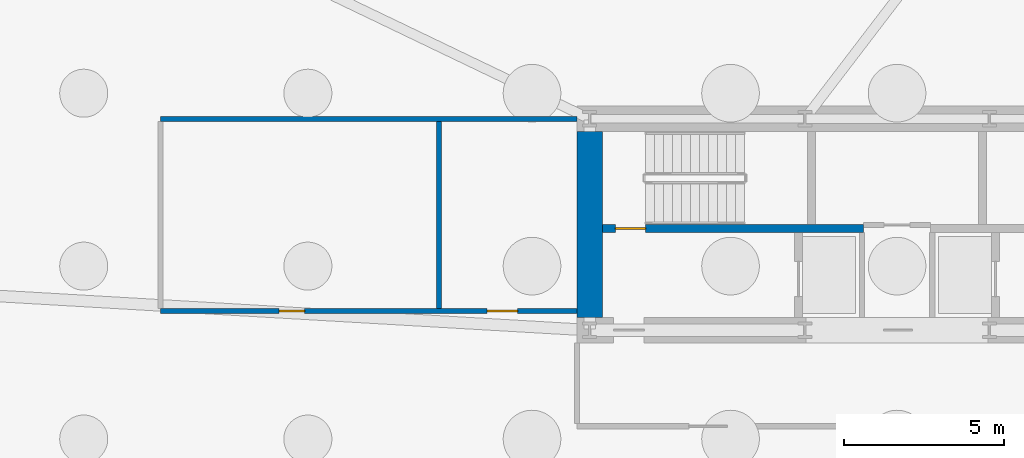
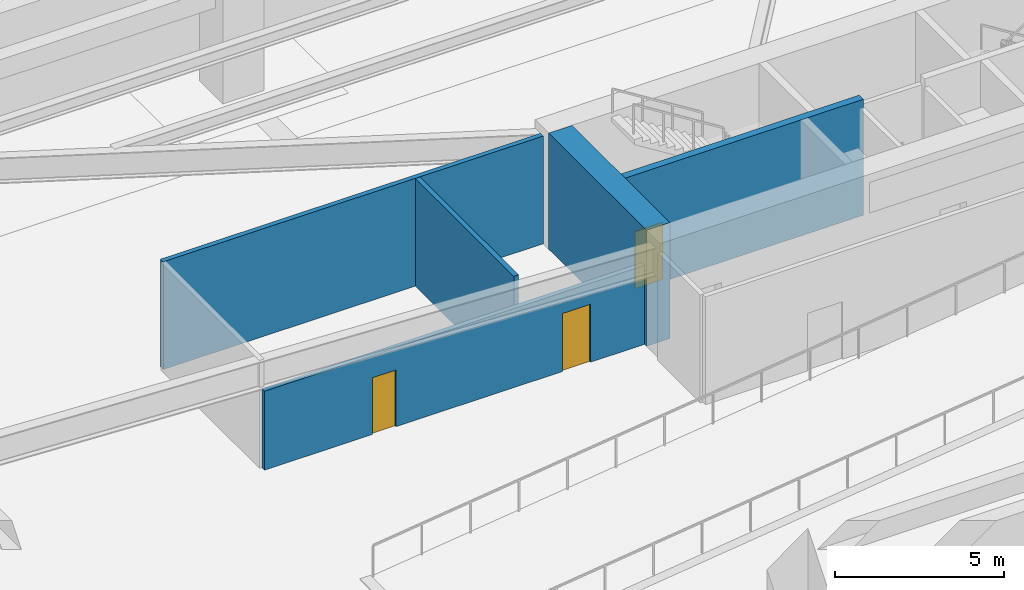
# One storey, part 3 of 8: 5 walls, 3 doors, 3 openings.
"""IFC4 building model written with IfcOpenShell, lengths in metres."""

from ifc_helpers import new_model, si_unit, direction, frame, frame_2d, origin, place, context, subcontext, project, spatial, rectangle, extrude, source, transform, mapped, material, layer, layer_set, type_object, type_shapes, element, fill, save


model = new_model("IFC4")

# Units and contexts
model_context = context("Model", 3, precision=1e-05, world=origin(), true_north=direction((0.0, 1.0)))
body_context = subcontext(model_context, "Body", "Model", "MODEL_VIEW")
ifc_project = project(units=[si_unit("LENGTHUNIT", "METRE"), si_unit("AREAUNIT", "SQUARE_METRE"), si_unit("VOLUMEUNIT", "CUBIC_METRE"), si_unit("PLANEANGLEUNIT", "RADIAN"), si_unit("MASSUNIT", "GRAM", prefix="KILO")], contexts=[model_context])

# Site, building, storey
site_placement = place(None, origin())
site = spatial("IfcSite", under=ifc_project, at=site_placement, CompositionType="ELEMENT")
building_placement = place(site_placement, origin())
building = spatial("IfcBuilding", under=site, at=building_placement, Name="Astriad Promenade Condominiums", CompositionType="ELEMENT")
storey_placement = place(building_placement, frame((0.0, 0.0, -8.39990234375)))
storey = spatial("IfcBuildingStorey", under=building, at=storey_placement, Name="B02", CompositionType="ELEMENT", Elevation=-8.39990234375)

# Wall
ifc_material_1 = material(Name="Concrete C80/95", Category="concrete")
ifc_layer_1 = layer(ifc_material_1, 0.800048828125)
ifc_layer_set_1 = layer_set([ifc_layer_1], Name="Concrete C80/95")
wall_type_1 = type_object("IfcWallType", Name="CW-SHEAR-800", PredefinedType="SHEAR", material=ifc_layer_set_1)
wall_1_placement = place(storey_placement, frame((26.39990234375, 17.802001953125, 0.0), z_axis=(0.0, 0.0, 1.0), x_axis=(0.0, 1.0, 0.0)))
element("IfcWall", 1, at=wall_1_placement, inside=storey, type_object=wall_type_1, Name="CW-CORE-W-B02", PredefinedType="SHEAR", context=body_context, shape_type="SweptSolid", body=[
    extrude(rectangle(XDim=5.7958984375, YDim=0.800048828125, at=frame_2d((2.89794921875, 0.0))), origin(), (0.0, 0.0, 1.0), 4.199951171875),
])

# Wall, opening, door
ifc_material_2 = material(Name="Concrete C50/60", Category="concrete")
ifc_layer_2 = layer(ifc_material_2, 0.25)
ifc_layer_set_2 = layer_set([ifc_layer_2], Name="Concrete C50/60")
wall_type_2 = type_object("IfcWallType", Name="WALL-CORE-INT-250", PredefinedType="SOLIDWALL", material=ifc_layer_set_2)
wall_2_placement = place(storey_placement, frame((26.802001953125, 20.574951171875, 0.0), z_axis=(0.0, 0.0, 1.0), x_axis=(1.0, 0.0, 0.0)))
wall_2 = element("IfcWall", 2, at=wall_2_placement, inside=storey, type_object=wall_type_2, Name="CW-INT-H1-B02", PredefinedType="SOLIDWALL", context=body_context, shape_type="SweptSolid", body=[
    extrude(rectangle(XDim=8.14794921875, YDim=0.25, at=frame_2d((4.073974609375, 0.0))), origin(), (0.0, 0.0, 1.0), 4.199951171875),
])
opening_1_placement = place(wall_2_placement, frame((0.39794921875, 0.0, 0.0)))
opening_1 = element("IfcOpeningElement", 3, at=opening_1_placement, cuts=wall_2, Name="Opening FD90-ST-095", PredefinedType="OPENING", context=body_context, shape_type="SweptSolid", body=[
    extrude(rectangle(XDim=0.949951171875, YDim=2.06005859375, at=frame_2d((0.47509765625, 1.030029296875))), frame((0.0, 0.135009765625, 0.0), z_axis=(0.0, -1.0, 0.0), x_axis=(1.0, 0.0, 0.0)), (0.0, 0.0, 1.0), 0.27001953125),
])
ifc_material_3 = material(Name="Fire-Rated Hollow Metal Stair Door")
door_type_1 = type_object("IfcDoorType", Name="FD90-ST-095", OperationType="NOTDEFINED", PredefinedType="DOOR", material=ifc_material_3)
shared_shape_1 = source(origin(), body_context, "Body", "SweptSolid", [
    extrude(rectangle(XDim=0.949951171875, YDim=2.06005859375, at=frame_2d((0.47509765625, 1.030029296875))), frame((0.0, 0.02490234375, 0.0), z_axis=(0.0, -1.0, 0.0), x_axis=(1.0, 0.0, 0.0)), (0.0, 0.0, 1.0), 0.050048828125),
])
type_shapes(door_type_1, [shared_shape_1])
door_1_placement = place(opening_1_placement, origin())
door_1 = element("IfcDoor", 4, at=door_1_placement, inside=storey, type_object=door_type_1, Name="D-ST1-B02", OperationType="SINGLE_SWING_LEFT", OverallHeight=2.06005859375, OverallWidth=0.949951171875, PredefinedType="DOOR", context=body_context, shape_type="MappedRepresentation", body=[
    mapped(shared_shape_1, transform((0.0, 0.0, 0.0), scale=1.0)),
])
fill(opening_1, door_1)

# Wall, openings, doors
ifc_material_4 = material(Name="Fire-Rated Gypsum Partition")
ifc_layer_3 = layer(ifc_material_4, 0.159912109375)
ifc_layer_set_3 = layer_set([ifc_layer_3], Name="Fire-Rated Gypsum Partition")
wall_type_3 = type_object("IfcWallType", Name="WALL-CORR-160", PredefinedType="PARTITIONING", material=ifc_layer_set_3)
wall_3_placement = place(storey_placement, frame((13.0, 18.0, 0.0), z_axis=(0.0, 0.0, 1.0), x_axis=(1.0, 0.0, 0.0)))
wall_3 = element("IfcWall", 5, at=wall_3_placement, inside=storey, type_object=wall_type_3, Name="PT-B02-WC-S", PredefinedType="PARTITIONING", context=body_context, shape_type="SweptSolid", body=[
    extrude(rectangle(XDim=12.998046875, YDim=0.159912109375, at=frame_2d((6.4990234375, 0.0))), origin(), (0.0, 0.0, 1.0), 2.856201171875),
])
opening_2_placement = place(wall_3_placement, frame((10.199951171875, 0.0, 0.0)))
opening_2 = element("IfcOpeningElement", 6, at=opening_2_placement, cuts=wall_3, Name="Opening D-WET-095", PredefinedType="OPENING", context=body_context, shape_type="SweptSolid", body=[
    extrude(rectangle(XDim=0.949951171875, YDim=2.10009765625, at=frame_2d((0.47509765625, 1.050048828125))), frame((0.0, 0.08984375, 0.0), z_axis=(0.0, -1.0, 0.0), x_axis=(1.0, 0.0, 0.0)), (0.0, 0.0, 1.0), 0.179931640625),
])
opening_3_placement = place(wall_3_placement, frame((3.699951171875, 0.0, 0.0)))
opening_3 = element("IfcOpeningElement", 7, at=opening_3_placement, cuts=wall_3, Name="Opening FD60-SV-080", PredefinedType="OPENING", context=body_context, shape_type="SweptSolid", body=[
    extrude(rectangle(XDim=0.800048828125, YDim=2.050048828125, at=frame_2d((0.39990234375, 1.02490234375))), frame((0.0, 0.08984375, 0.0), z_axis=(0.0, -1.0, 0.0), x_axis=(1.0, 0.0, 0.0)), (0.0, 0.0, 1.0), 0.179931640625),
])
ifc_material_5 = material(Name="Fire-Rated Riser Closet Door")
door_type_2 = type_object("IfcDoorType", Name="FD60-SV-080", OperationType="NOTDEFINED", PredefinedType="DOOR", material=ifc_material_5)
shared_shape_2 = source(origin(), body_context, "Body", "SweptSolid", [
    extrude(rectangle(XDim=0.800048828125, YDim=2.050048828125, at=frame_2d((0.39990234375, 1.02490234375))), frame((0.0, 0.02490234375, 0.0), z_axis=(0.0, -1.0, 0.0), x_axis=(1.0, 0.0, 0.0)), (0.0, 0.0, 1.0), 0.050048828125),
])
type_shapes(door_type_2, [shared_shape_2])
door_2_placement = place(opening_3_placement, origin())
door_2 = element("IfcDoor", 8, at=door_2_placement, inside=storey, type_object=door_type_2, Name="D-B02-BIK", OperationType="SINGLE_SWING_LEFT", OverallHeight=2.050048828125, OverallWidth=0.800048828125, PredefinedType="DOOR", context=body_context, shape_type="MappedRepresentation", body=[
    mapped(shared_shape_2, transform((0.0, 0.0, 0.0), scale=1.0)),
])
fill(opening_3, door_2)
ifc_material_6 = material(Name="Accessible Restroom Timber Door", Category="wood")
door_type_3 = type_object("IfcDoorType", Name="D-WET-095", OperationType="NOTDEFINED", PredefinedType="DOOR", material=ifc_material_6)
shared_shape_3 = source(origin(), body_context, "Body", "SweptSolid", [
    extrude(rectangle(XDim=0.949951171875, YDim=2.10009765625, at=frame_2d((0.47509765625, 1.050048828125))), frame((0.0, 0.02490234375, 0.0), z_axis=(0.0, -1.0, 0.0), x_axis=(1.0, 0.0, 0.0)), (0.0, 0.0, 1.0), 0.050048828125),
])
type_shapes(door_type_3, [shared_shape_3])
door_3_placement = place(opening_2_placement, origin())
door_3 = element("IfcDoor", 9, at=door_3_placement, inside=storey, type_object=door_type_3, Name="D-B02-AWC", OperationType="SINGLE_SWING_RIGHT", OverallHeight=2.10009765625, OverallWidth=0.949951171875, PredefinedType="DOOR", context=body_context, shape_type="MappedRepresentation", body=[
    mapped(shared_shape_3, transform((0.0, 0.0, 0.0), scale=1.0)),
])
fill(opening_2, door_3)

# Walls
wall_4_placement = place(storey_placement, frame((13.0, 24.0, 0.0), z_axis=(0.0, 0.0, 1.0), x_axis=(1.0, 0.0, 0.0)))
element("IfcWall", 10, at=wall_4_placement, inside=storey, type_object=wall_type_3, Name="PT-B02-WC-N", PredefinedType="PARTITIONING", context=body_context, shape_type="SweptSolid", body=[
    extrude(rectangle(XDim=13.0, YDim=0.159912109375, at=frame_2d((6.5, 0.0))), origin(), (0.0, 0.0, 1.0), 3.89990234375),
])
wall_5_placement = place(storey_placement, frame((21.699951171875, 18.08203125, 0.0), z_axis=(0.0, 0.0, 1.0), x_axis=(0.0, 1.0, 0.0)))
element("IfcWall", 11, at=wall_5_placement, inside=storey, type_object=wall_type_3, Name="PT-B02-WC-M", PredefinedType="PARTITIONING", context=body_context, shape_type="SweptSolid", body=[
    extrude(rectangle(XDim=5.8359375, YDim=0.159912109375, at=frame_2d((2.91796875, 0.0))), origin(), (0.0, 0.0, 1.0), 3.89990234375),
])

save(model, "model.ifc")
